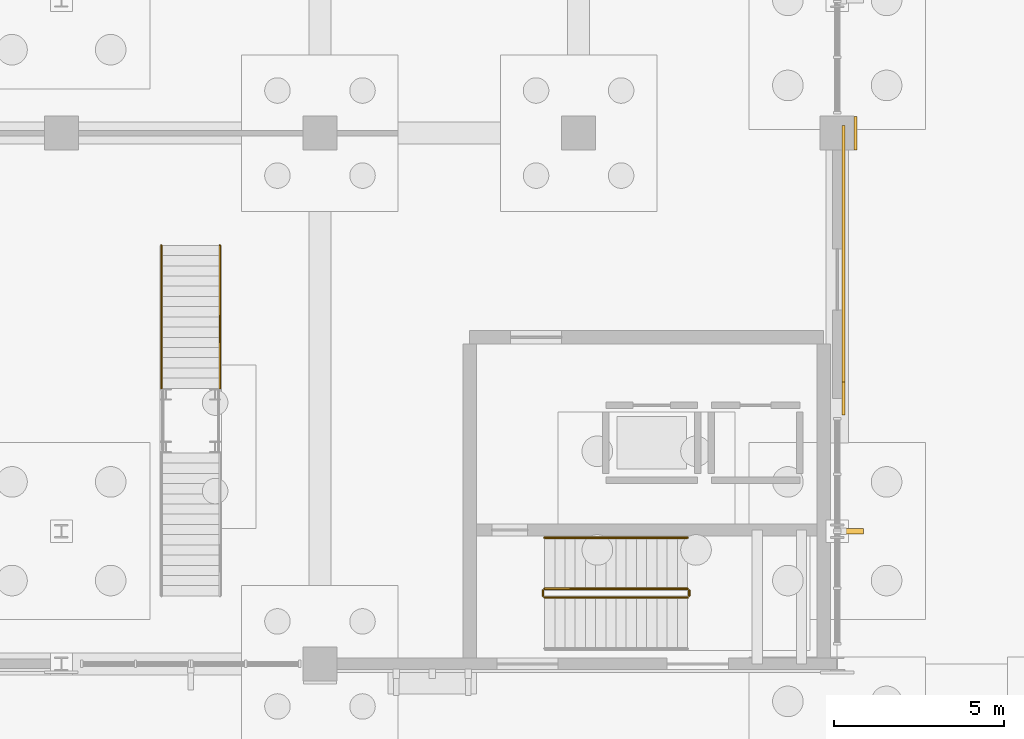
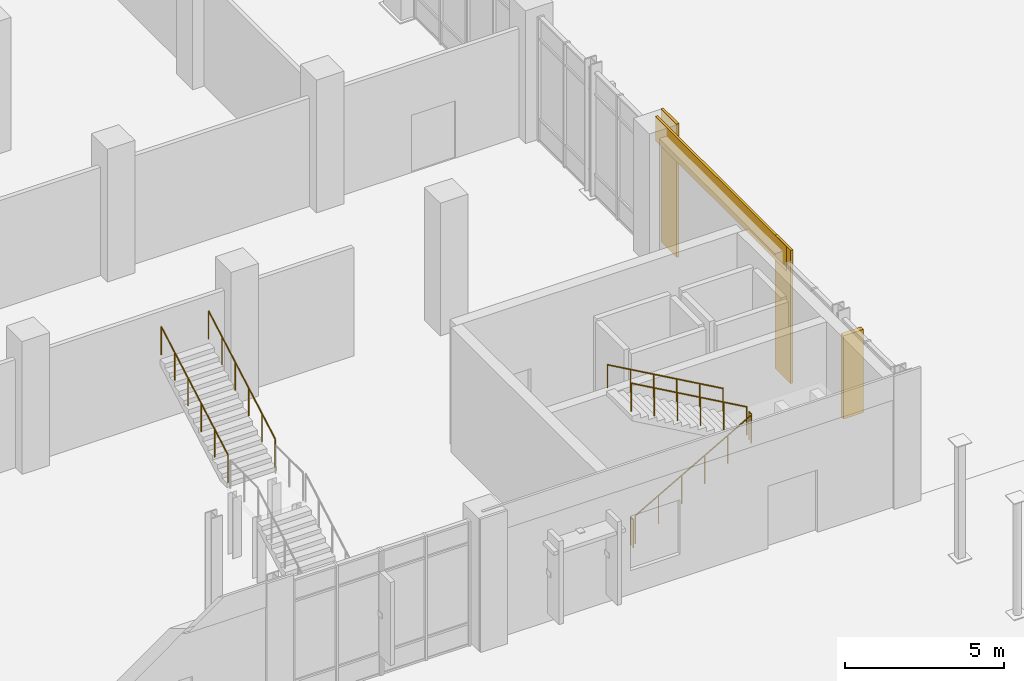
# One storey, part 92 of 94: 7 railings, 3 coverings, 1 shading device.
"""IFC4 building model written with IfcOpenShell, lengths in metres."""

from ifc_helpers import new_model, si_unit, direction, frame, origin, origin_2d, place, context, subcontext, project, spatial, rectangle, circle, extrude, material, layer, layer_set, type_object, element, save


model = new_model("IFC4")

# Units and contexts
model_context = context("Model", 3, precision=1e-05, world=origin(), true_north=direction((0.0, 1.0)))
body_context = subcontext(model_context, "Body", "Model", "MODEL_VIEW")
ifc_project = project(units=[si_unit("LENGTHUNIT", "METRE"), si_unit("AREAUNIT", "SQUARE_METRE"), si_unit("VOLUMEUNIT", "CUBIC_METRE"), si_unit("PLANEANGLEUNIT", "RADIAN"), si_unit("MASSUNIT", "GRAM", prefix="KILO")], contexts=[model_context])

# Site, building, storey
site_placement = place(None, origin())
site = spatial("IfcSite", under=ifc_project, at=site_placement, CompositionType="ELEMENT")
building_placement = place(site_placement, origin())
building = spatial("IfcBuilding", under=site, at=building_placement, Name="Vervanel Yard Central Library", CompositionType="ELEMENT")
storey_placement = place(building_placement, origin())
storey = spatial("IfcBuildingStorey", under=building, at=storey_placement, Name="L00", CompositionType="ELEMENT", Elevation=0.0)

# Railing
ifc_material_1 = material(Name="Brushed stainless steel AISI 316", Category="steel")
railing_type_1 = type_object("IfcRailingType", Name="Brushed Stainless Stair Handrail 900", PredefinedType="HANDRAIL", material=ifc_material_1)
railing_1_placement = place(storey_placement, frame((141.60009765625, 46.909912109375, 2.719970703125)))
element("IfcRailing", 1, at=railing_1_placement, inside=storey, type_object=railing_type_1, Name="L00 ST-05 stair handrail 2", PredefinedType="HANDRAIL", context=body_context, shape_type="SweptSolid", body=[
    extrude(circle(Radius=0.02392578125, at=origin_2d()), frame((0.0, 0.0, 0.8759765625), z_axis=(-0.870020739749, 0.0, 0.493015123914), x_axis=(0.0, -1.0, 0.0)), (0.0, 0.0, 1.0), 4.82763671875),
    extrude(circle(Radius=0.02099609375, at=origin_2d()), origin(), (0.0, 0.0, 1.0), 0.851806640625),
    extrude(circle(Radius=0.02099609375, at=origin_2d()), frame((-0.840087890625, 0.0, 0.47607421875)), (0.0, 0.0, 1.0), 0.851806640625),
    extrude(circle(Radius=0.02099609375, at=origin_2d()), frame((-1.68017578125, 0.0, 0.9521484375)), (0.0, 0.0, 1.0), 0.851806640625),
    extrude(circle(Radius=0.02099609375, at=origin_2d()), frame((-2.52001953125, 0.0, 1.427978515625)), (0.0, 0.0, 1.0), 0.851806640625),
    extrude(circle(Radius=0.02099609375, at=origin_2d()), frame((-3.360107421875, 0.0, 1.904052734375)), (0.0, 0.0, 1.0), 0.851806640625),
    extrude(circle(Radius=0.02099609375, at=origin_2d()), frame((-4.2001953125, 0.0, 2.380126953125)), (0.0, 0.0, 1.0), 0.851806640625),
])

# Coverings
ifc_material_2 = material(Name="Precast concrete C45/55", Category="concrete")
ifc_layer = layer(ifc_material_2, 0.0849609375, Category="concrete")
ifc_layer_set = layer_set([ifc_layer], Name="Precast concrete C45/55")
covering_type = type_object("IfcCoveringType", Name="Bush-Hammered Precast Architectural Cladding Panel", PredefinedType="CLADDING", material=ifc_layer_set)
covering_placement = place(storey_placement, frame((146.179931640625, 54.89990234375, 4.179931640625), z_axis=(0.0, 0.0, 1.0), x_axis=(0.0, 1.0, 0.0)))
element("IfcCovering", 2, at=covering_placement, inside=storey, type_object=covering_type, Name="L00 Precast Concrete Spandrel Cornice EWALL-L00-0176", PredefinedType="CLADDING", context=body_context, shape_type="SweptSolid", body=[
    extrude(rectangle(XDim=8.25, YDim=0.0849609375, at=origin_2d()), origin(), (0.0, 0.0, 1.0), 0.93994140625),
])
for number, where, z_axis, x_axis, name in (
    (3, (146.1826171875, 51.0, 0.0), (0.0, 0.0, 1.0), (0.0, 1.0, 0.0), "L00 Precast Concrete Pier Pilaster EWALL-L00-0176-A"),
    (4, (146.54248046875, 58.800048828125, 0.0), (0.0, 0.0, 1.0), (0.0, 1.0, 0.0), "L00 Precast Concrete Pier Pilaster EWALL-L00-0176-B"),
):
    element("IfcCovering", number, at=place(storey_placement, frame(where, z_axis=z_axis, x_axis=x_axis)), inside=storey, type_object=covering_type, Name=name, PredefinedType="CLADDING", context=body_context, shape_type="SweptSolid", body=[
        extrude(rectangle(XDim=0.97998046875, YDim=0.0849609375, at=origin_2d()), origin(), (0.0, 0.0, 1.0), 5.1201171875),
    ])

# Railings
ifc_material_3 = material(Name="Galvanized painted steelwork ASTM A500 Grade C", Category="steel")
railing_type_2 = type_object("IfcRailingType", Name="Painted Steel Guardrail 1100", PredefinedType="GUARDRAIL", material=ifc_material_3)
railing_2_placement = place(storey_placement, frame((137.39990234375, 45.14990234375, 0.169921875)))
element("IfcRailing", 5, at=railing_2_placement, inside=storey, type_object=railing_type_2, Name="L00 ST-05 stair guard 1", PredefinedType="GUARDRAIL", context=body_context, shape_type="SweptSolid", body=[
    extrude(circle(Radius=0.02392578125, at=origin_2d()), frame((0.0, 0.0, 1.076171875), z_axis=(0.870020739749, 0.0, 0.493015123914), x_axis=(0.0, 1.0, 0.0)), (0.0, 0.0, 1.0), 4.82763671875),
    extrude(circle(Radius=0.02099609375, at=origin_2d()), origin(), (0.0, 0.0, 1.0), 1.052001953125),
    extrude(circle(Radius=0.02099609375, at=origin_2d()), frame((0.840087890625, 0.0, 0.47607421875)), (0.0, 0.0, 1.0), 1.052001953125),
    extrude(circle(Radius=0.02099609375, at=origin_2d()), frame((1.68017578125, 0.0, 0.9521484375)), (0.0, 0.0, 1.0), 1.052001953125),
    extrude(circle(Radius=0.02099609375, at=origin_2d()), frame((2.52001953125, 0.0, 1.427978515625)), (0.0, 0.0, 1.0), 1.052001953125),
    extrude(circle(Radius=0.02099609375, at=origin_2d()), frame((3.360107421875, 0.0, 1.904052734375)), (0.0, 0.0, 1.0), 1.052001953125),
    extrude(circle(Radius=0.02099609375, at=origin_2d()), frame((4.2001953125, 0.0, 2.380126953125)), (0.0, 0.0, 1.0), 1.052001953125),
])
railing_3_placement = place(storey_placement, frame((141.64990234375, 45.199951171875, 2.550048828125)))
element("IfcRailing", 6, at=railing_3_placement, inside=storey, type_object=railing_type_2, Name="L00 ST-05 stair guard 2", PredefinedType="GUARDRAIL", context=body_context, shape_type="SweptSolid", body=[
    extrude(circle(Radius=0.02392578125, at=origin_2d()), frame((0.0, 0.0, 1.076171875), z_axis=(0.0, 1.0, 0.0), x_axis=(-1.0, 0.0, 0.0)), (0.0, 0.0, 1.0), 0.16015625),
    extrude(circle(Radius=0.02099609375, at=origin_2d()), origin(), (0.0, 0.0, 1.0), 1.052001953125),
    extrude(circle(Radius=0.02099609375, at=origin_2d()), frame((0.0, 0.16015625, 0.0)), (0.0, 0.0, 1.0), 1.052001953125),
])
railing_4_placement = place(storey_placement, frame((141.60009765625, 45.409912109375, 2.719970703125)))
element("IfcRailing", 7, at=railing_4_placement, inside=storey, type_object=railing_type_2, Name="L00 ST-05 stair guard 3", PredefinedType="GUARDRAIL", context=body_context, shape_type="SweptSolid", body=[
    extrude(circle(Radius=0.02392578125, at=origin_2d()), frame((0.0, 0.0, 1.076171875), z_axis=(-0.870020739749, 0.0, 0.493015123914), x_axis=(0.0, -1.0, 0.0)), (0.0, 0.0, 1.0), 4.82763671875),
    extrude(circle(Radius=0.02099609375, at=origin_2d()), origin(), (0.0, 0.0, 1.0), 1.052001953125),
    extrude(circle(Radius=0.02099609375, at=origin_2d()), frame((-0.840087890625, 0.0, 0.47607421875)), (0.0, 0.0, 1.0), 1.052001953125),
    extrude(circle(Radius=0.02099609375, at=origin_2d()), frame((-1.68017578125, 0.0, 0.9521484375)), (0.0, 0.0, 1.0), 1.052001953125),
    extrude(circle(Radius=0.02099609375, at=origin_2d()), frame((-2.52001953125, 0.0, 1.427978515625)), (0.0, 0.0, 1.0), 1.052001953125),
    extrude(circle(Radius=0.02099609375, at=origin_2d()), frame((-3.360107421875, 0.0, 1.904052734375)), (0.0, 0.0, 1.0), 1.052001953125),
    extrude(circle(Radius=0.02099609375, at=origin_2d()), frame((-4.2001953125, 0.0, 2.380126953125)), (0.0, 0.0, 1.0), 1.052001953125),
])
railing_5_placement = place(storey_placement, frame((137.35009765625, 45.199951171875, 0.0)))
element("IfcRailing", 8, at=railing_5_placement, inside=storey, type_object=railing_type_2, Name="L00 ST-05 stair guard 4", PredefinedType="GUARDRAIL", context=body_context, shape_type="SweptSolid", body=[
    extrude(circle(Radius=0.02392578125, at=origin_2d()), frame((0.0, 0.0, 1.076171875), z_axis=(0.0, 1.0, 0.0), x_axis=(-1.0, 0.0, 0.0)), (0.0, 0.0, 1.0), 0.16015625),
    extrude(circle(Radius=0.02099609375, at=origin_2d()), origin(), (0.0, 0.0, 1.0), 1.052001953125),
    extrude(circle(Radius=0.02099609375, at=origin_2d()), frame((0.0, 0.16015625, 0.0)), (0.0, 0.0, 1.0), 1.052001953125),
])
for number, where, name in (
    (9, (126.139892578125, 51.300048828125, 2.719970703125), "L00 Feature Stair Guard FST-01-L00 F2 L"),
    (10, (127.860107421875, 51.300048828125, 2.719970703125), "L00 Feature Stair Guard FST-01-L00 F2 R"),
):
    element("IfcRailing", number, at=place(storey_placement, frame(where)), inside=storey, type_object=railing_type_2, Name=name, PredefinedType="GUARDRAIL", context=body_context, shape_type="SweptSolid", body=[
        extrude(circle(Radius=0.02392578125, at=origin_2d()), frame((0.0, 0.0, 1.076171875), z_axis=(0.0, 0.870008446991, 0.493036816236), x_axis=(-1.0, 0.0, 0.0)), (0.0, 0.0, 1.0), 4.827392578125),
        extrude(circle(Radius=0.02099609375, at=origin_2d()), origin(), (0.0, 0.0, 1.0), 1.052001953125),
        extrude(circle(Radius=0.02099609375, at=origin_2d()), frame((0.0, 0.840087890625, 0.47607421875)), (0.0, 0.0, 1.0), 1.052001953125),
        extrude(circle(Radius=0.02099609375, at=origin_2d()), frame((0.0, 1.679931640625, 0.9521484375)), (0.0, 0.0, 1.0), 1.052001953125),
        extrude(circle(Radius=0.02099609375, at=origin_2d()), frame((0.0, 2.52001953125, 1.427978515625)), (0.0, 0.0, 1.0), 1.052001953125),
        extrude(circle(Radius=0.02099609375, at=origin_2d()), frame((0.0, 3.35986328125, 1.904052734375)), (0.0, 0.0, 1.0), 1.052001953125),
        extrude(circle(Radius=0.02099609375, at=origin_2d()), frame((0.0, 4.199951171875, 2.380126953125)), (0.0, 0.0, 1.0), 1.052001953125),
    ])

# Shading device
shading_device_type = type_object("IfcShadingDeviceType", Name="Vertical Precast Solar Fin 160x720x3200", PredefinedType="JALOUSIE", material=ifc_material_2)
shading_device_placement = place(storey_placement, frame((146.409912109375, 47.10009765625, 0.7900390625), z_axis=(0.0, 0.0, 1.0), x_axis=(0.0, 1.0, 0.0)))
element("IfcShadingDevice", 11, at=shading_device_placement, inside=storey, type_object=shading_device_type, Name="L00 Precast Solar Fin 484", PredefinedType="JALOUSIE", context=body_context, shape_type="SweptSolid", body=[
    extrude(rectangle(XDim=0.159912109375, YDim=0.719970703125, at=origin_2d()), origin(), (0.0, 0.0, 1.0), 3.199951171875),
])

save(model, "model.ifc")
